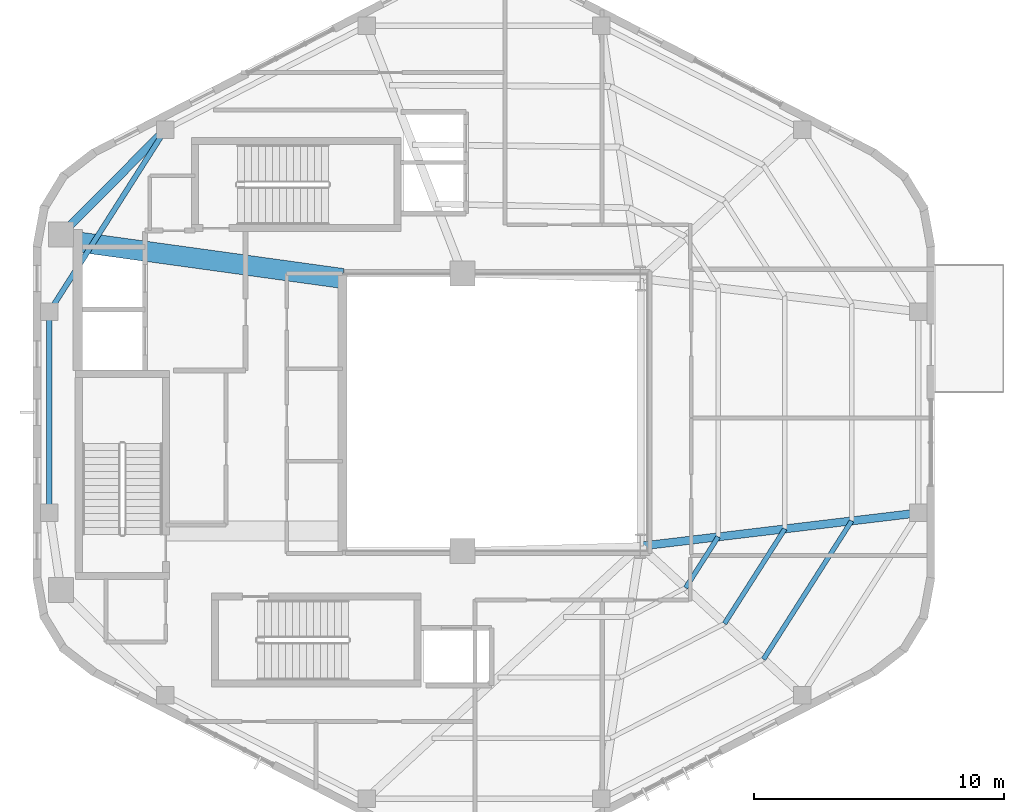
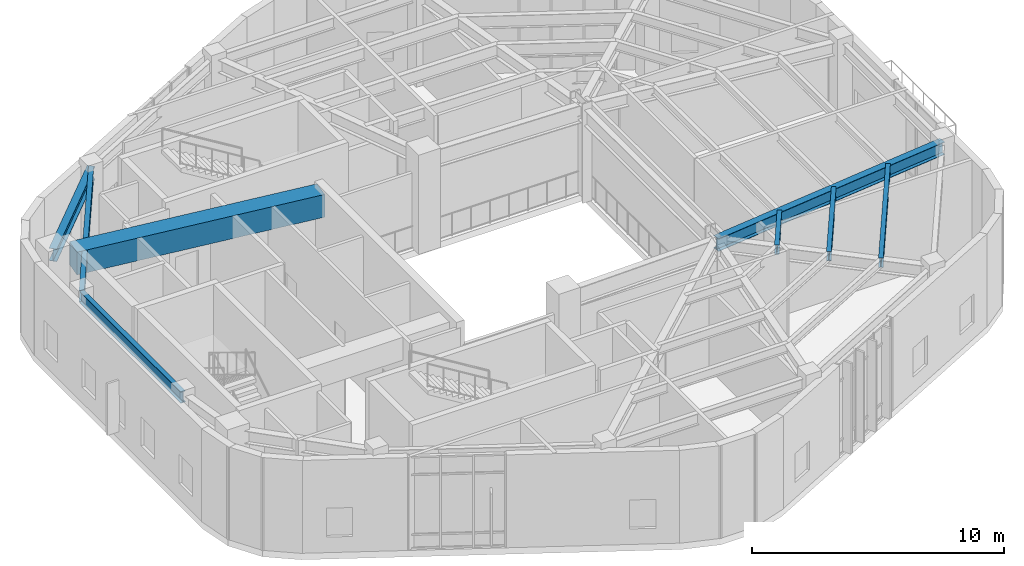
# One storey, part 5 of 19: 8 beams.
"""IFC4 building model written with IfcOpenShell, lengths in metres."""

from ifc_helpers import new_model, si_unit, direction, frame, origin, origin_2d, place, context, subcontext, project, spatial, rectangle, i_section, extrude, material, material_profile, profile_set, type_object, element, save


model = new_model("IFC4")

# Units and contexts
model_context = context("Model", 3, precision=1e-05, world=origin(), true_north=direction((0.0, 1.0)))
body_context = subcontext(model_context, "Body", "Model", "MODEL_VIEW")
ifc_project = project(units=[si_unit("LENGTHUNIT", "METRE"), si_unit("AREAUNIT", "SQUARE_METRE"), si_unit("VOLUMEUNIT", "CUBIC_METRE"), si_unit("PLANEANGLEUNIT", "RADIAN"), si_unit("MASSUNIT", "GRAM", prefix="KILO"), si_unit("THERMODYNAMICTEMPERATUREUNIT", "KELVIN"), si_unit("POWERUNIT", "WATT")], contexts=[model_context])

# Site, building, storey
site_placement = place(None, origin())
site = spatial("IfcSite", under=ifc_project, at=site_placement, CompositionType="ELEMENT")
building_placement = place(site_placement, origin())
building = spatial("IfcBuilding", under=site, at=building_placement, Name="Skarre Station Tower", CompositionType="ELEMENT")
storey_placement = place(building_placement, frame((0.0, 0.0, 275.10009765625)))
storey = spatial("IfcBuildingStorey", under=building, at=storey_placement, Name="L75", CompositionType="ELEMENT", Elevation=275.10009765625)

# Beams
ifc_material_1 = material(Name="Concrete C70/85", Category="concrete")
ifc_material_profile_1 = material_profile(ifc_material_1, rectangle(XDim=0.800048828125, YDim=1.10009765625, at=origin_2d()), Name="Concrete C70/85")
ifc_profile_set_1 = profile_set([ifc_material_profile_1], Name="Concrete C70/85")
beam_type_1 = type_object("IfcBeamType", Name="RC Core Coupling Lintel 800x1100", PredefinedType="LINTEL", material=ifc_profile_set_1)
beam_1_placement = place(storey_placement, frame((17.050048828125, 30.800048828125, 3.93994140625), z_axis=(0.990599723633, -0.136792498109, 0.0), x_axis=(0.136792498109, 0.990599723633, 0.0)))
element("IfcBeam", 1, at=beam_1_placement, inside=storey, type_object=beam_type_1, Name="L75 North Core Coupling Lintel", PredefinedType="LINTEL", context=body_context, shape_type="SweptSolid", body=[
    extrude(rectangle(XDim=0.800048828125, YDim=1.10009765625, at=origin_2d()), origin(), (0.0, 0.0, 1.0), 10.599609375),
])
ifc_material_2 = material(Name="Steel ASTM A992 Grade 50", Category="steel")
ifc_material_profile_2 = material_profile(ifc_material_2, i_section(OverallWidth=0.323974609375, OverallDepth=0.611083984375, WebThickness=0.012939453125, FlangeThickness=0.01904296875, at=origin_2d()), Name="Steel ASTM A992 Grade 50")
ifc_profile_set_2 = profile_set([ifc_material_profile_2], Name="Steel ASTM A992 Grade 50")
beam_type_2 = type_object("IfcBeamType", Name="Steel Beam W24X104", PredefinedType="BEAM", material=ifc_profile_set_2)
beam_2_placement = place(storey_placement, frame((16.300048828125, 31.10009765625, 4.183837890625), z_axis=(0.704979413242, 0.709227768002, 0.0), x_axis=(-0.709227768002, 0.704979413242, 0.0)))
element("IfcBeam", 2, at=beam_2_placement, inside=storey, type_object=beam_type_2, Name="L75 Radial Floor Girder F1C2", PredefinedType="BEAM", context=body_context, shape_type="SweptSolid", body=[
    extrude(i_section(OverallWidth=0.323974609375, OverallDepth=0.611083984375, WebThickness=0.012939453125, FlangeThickness=0.01904296875, at=origin_2d()), origin(), (0.0, 0.0, 1.0), 5.919189453125),
])
beam_3_placement = place(storey_placement, frame((39.449951171875, 18.64990234375, 4.183837890625), z_axis=(0.99292393128, 0.118752122891, 0.0), x_axis=(-0.118752122891, 0.99292393128, 0.0)))
element("IfcBeam", 3, at=beam_3_placement, inside=storey, type_object=beam_type_2, Name="L75 Radial Floor Girder F5C1", PredefinedType="BEAM", context=body_context, shape_type="SweptSolid", body=[
    extrude(i_section(OverallWidth=0.323974609375, OverallDepth=0.611083984375, WebThickness=0.012939453125, FlangeThickness=0.01904296875, at=origin_2d()), origin(), (0.0, 0.0, 1.0), 11.192138671875),
])
ifc_material_profile_3 = material_profile(ifc_material_2, i_section(OverallWidth=0.19091796875, OverallDepth=0.45703125, WebThickness=0.009033203125, FlangeThickness=0.013916015625, at=origin_2d()), Name="Steel ASTM A992 Grade 50")
ifc_profile_set_3 = profile_set([ifc_material_profile_3], Name="Steel ASTM A992 Grade 50")
beam_type_3 = type_object("IfcBeamType", Name="Steel Joist W18X50", PredefinedType="JOIST", material=ifc_profile_set_3)
beam_4_placement = place(storey_placement, frame((41.263916015625, 16.985107421875, 4.260986328125), z_axis=(0.537437848622, 0.843303361116, 0.0), x_axis=(-0.843303361116, 0.537437848622, 0.0)))
element("IfcBeam", 4, at=beam_4_placement, inside=storey, type_object=beam_type_3, Name="L75 Auxiliary Composite Joist 18", PredefinedType="JOIST", context=body_context, shape_type="SweptSolid", body=[
    extrude(i_section(OverallWidth=0.19091796875, OverallDepth=0.45703125, WebThickness=0.009033203125, FlangeThickness=0.013916015625, at=origin_2d()), origin(), (0.0, 0.0, 1.0), 2.415283203125),
])
beam_5_placement = place(storey_placement, frame((42.818115234375, 15.556884765625, 4.260986328125), z_axis=(0.53731551376, 0.843381312737, 0.0), x_axis=(-0.843381312737, 0.53731551376, 0.0)))
element("IfcBeam", 5, at=beam_5_placement, inside=storey, type_object=beam_type_3, Name="L75 Auxiliary Composite Joist 19", PredefinedType="JOIST", context=body_context, shape_type="SweptSolid", body=[
    extrude(i_section(OverallWidth=0.19091796875, OverallDepth=0.45703125, WebThickness=0.009033203125, FlangeThickness=0.013916015625, at=origin_2d()), origin(), (0.0, 0.0, 1.0), 4.48681640625),
])
beam_6_placement = place(storey_placement, frame((44.373046875, 14.1298828125, 4.260986328125), z_axis=(0.537292232804, 0.843396144507, 0.0), x_axis=(-0.843396144507, 0.537292232804, 0.0)))
element("IfcBeam", 6, at=beam_6_placement, inside=storey, type_object=beam_type_3, Name="L75 Auxiliary Composite Joist 20", PredefinedType="JOIST", context=body_context, shape_type="SweptSolid", body=[
    extrude(i_section(OverallWidth=0.19091796875, OverallDepth=0.45703125, WebThickness=0.009033203125, FlangeThickness=0.013916015625, at=origin_2d()), origin(), (0.0, 0.0, 1.0), 6.556884765625),
])
ifc_material_profile_4 = material_profile(ifc_material_2, i_section(OverallWidth=0.214111328125, OverallDepth=0.549072265625, WebThickness=0.014892578125, FlangeThickness=0.02392578125, at=origin_2d()), Name="Steel ASTM A992 Grade 50")
ifc_profile_set_4 = profile_set([ifc_material_profile_4], Name="Steel ASTM A992 Grade 50")
beam_type_4 = type_object("IfcBeamType", Name="Steel Spandrel W21X93", PredefinedType="SPANDREL", material=ifc_profile_set_4)
beam_7_placement = place(storey_placement, frame((20.472900390625, 35.298095703125, 4.21484375), z_axis=(-0.537296523663, -0.843393410965, 0.0), x_axis=(0.843393410965, -0.537296523663, 0.0)))
element("IfcBeam", 7, at=beam_7_placement, inside=storey, type_object=beam_type_4, Name="L75 Facet Spandrel Beam 4", PredefinedType="SPANDREL", context=body_context, shape_type="SweptSolid", body=[
    extrude(i_section(OverallWidth=0.214111328125, OverallDepth=0.549072265625, WebThickness=0.014892578125, FlangeThickness=0.02392578125, at=origin_2d()), origin(), (0.0, 0.0, 1.0), 8.62841796875),
])
beam_8_placement = place(storey_placement, frame((15.8369140625, 28.02099609375, 4.21484375), z_axis=(0.0, -1.0, 0.0), x_axis=(1.0, 0.0, 0.0)))
element("IfcBeam", 8, at=beam_8_placement, inside=storey, type_object=beam_type_4, Name="L75 Facet Spandrel Beam 5", PredefinedType="SPANDREL", context=body_context, shape_type="SweptSolid", body=[
    extrude(i_section(OverallWidth=0.214111328125, OverallDepth=0.549072265625, WebThickness=0.014892578125, FlangeThickness=0.02392578125, at=origin_2d()), origin(), (0.0, 0.0, 1.0), 8.0419921875),
])

save(model, "model.ifc")
